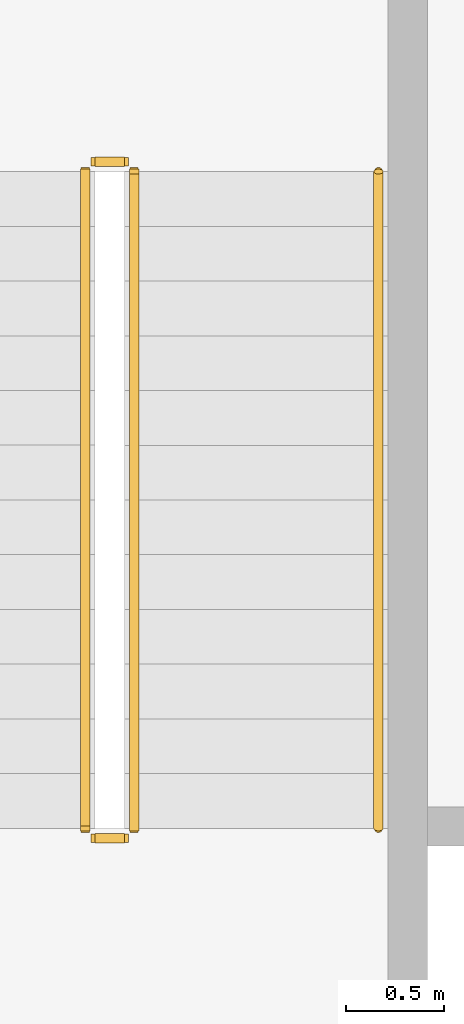
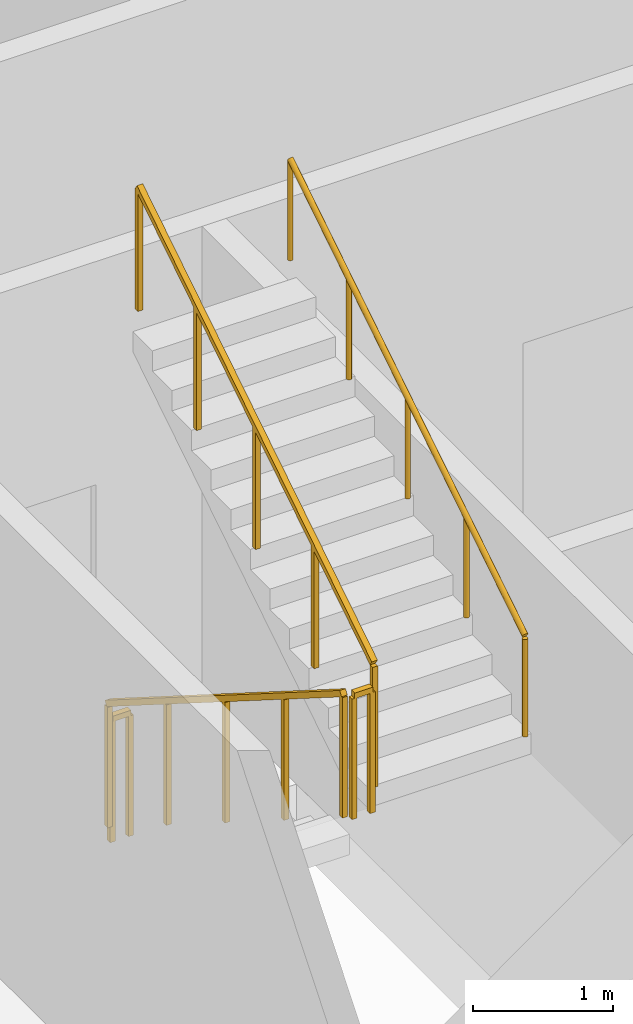
# One storey, part 16 of 21: 5 railings.
"""IFC4 building model written with IfcOpenShell, lengths in metres."""

from ifc_helpers import new_model, si_unit, direction, frame, origin, origin_2d, place, context, subcontext, project, spatial, rectangle, circle, extrude, material, type_object, element, save


model = new_model("IFC4")

# Units and contexts
model_context = context("Model", 3, precision=1e-05, world=origin(), true_north=direction((0.0, 1.0)))
body_context = subcontext(model_context, "Body", "Model", "MODEL_VIEW")
ifc_project = project(units=[si_unit("LENGTHUNIT", "METRE"), si_unit("AREAUNIT", "SQUARE_METRE"), si_unit("VOLUMEUNIT", "CUBIC_METRE"), si_unit("PLANEANGLEUNIT", "RADIAN"), si_unit("MASSUNIT", "GRAM", prefix="KILO")], contexts=[model_context])

# Site, building, storey
site_placement = place(None, origin())
site = spatial("IfcSite", under=ifc_project, at=site_placement, CompositionType="ELEMENT")
building_placement = place(site_placement, origin())
building = spatial("IfcBuilding", under=site, at=building_placement, Name="Mangrove Gate Tower", CompositionType="ELEMENT")
storey_placement = place(building_placement, frame((0.0, 0.0, 329.699951171875)))
storey = spatial("IfcBuildingStorey", under=building, at=storey_placement, Name="L84", CompositionType="ELEMENT", Elevation=329.699951171875)

# Railings
ifc_material_1 = material(Name="Stainless steel 316", Category="steel")
railing_type_1 = type_object("IfcRailingType", Name="Core stair guard 1100", PredefinedType="GUARDRAIL", material=ifc_material_1)
railing_1_placement = place(storey_placement, frame((-9.39990234375, -4.64990234375, 0.177001953125)))
element("IfcRailing", 1, at=railing_1_placement, inside=storey, type_object=railing_type_1, Name="L84 ST1 stair guard 1", PredefinedType="GUARDRAIL", context=body_context, shape_type="SweptSolid", body=[
    extrude(rectangle(XDim=0.048095703125, YDim=0.048095703125, at=origin_2d()), frame((0.0, 0.0, 1.076171875), z_axis=(0.0, -0.845389635667, 0.534150132366), x_axis=(1.0, 0.0, 0.0)), (0.0, 0.0, 1.0), 3.974609375),
    extrude(rectangle(XDim=0.0419921875, YDim=0.0419921875, at=origin_2d()), origin(), (0.0, 0.0, 1.0), 1.052001953125),
    extrude(rectangle(XDim=0.0419921875, YDim=0.0419921875, at=origin_2d()), frame((0.0, -0.840087890625, 0.53076171875)), (0.0, 0.0, 1.0), 1.052001953125),
    extrude(rectangle(XDim=0.0419921875, YDim=0.0419921875, at=origin_2d()), frame((0.0, -1.68017578125, 1.0615234375)), (0.0, 0.0, 1.0), 1.052001953125),
    extrude(rectangle(XDim=0.0419921875, YDim=0.0419921875, at=origin_2d()), frame((0.0, -2.52001953125, 1.59228515625)), (0.0, 0.0, 1.0), 1.052001953125),
    extrude(rectangle(XDim=0.0419921875, YDim=0.0419921875, at=origin_2d()), frame((0.0, -3.360107421875, 2.123046875)), (0.0, 0.0, 1.0), 1.052001953125),
])
railing_2_placement = place(storey_placement, frame((-9.35009765625, -8.06005859375, 2.300048828125)))
element("IfcRailing", 2, at=railing_2_placement, inside=storey, type_object=railing_type_1, Name="L84 ST1 stair guard 2", PredefinedType="GUARDRAIL", context=body_context, shape_type="SweptSolid", body=[
    extrude(rectangle(XDim=0.048095703125, YDim=0.048095703125, at=origin_2d()), frame((0.0, 0.0, 1.076171875), z_axis=(1.0, 0.0, 0.0), x_axis=(0.0, 1.0, 0.0)), (0.0, 0.0, 1.0), 0.150146484375),
    extrude(rectangle(XDim=0.0419921875, YDim=0.0419921875, at=origin_2d()), origin(), (0.0, 0.0, 1.0), 1.052001953125),
    extrude(rectangle(XDim=0.0419921875, YDim=0.0419921875, at=origin_2d()), frame((0.150146484375, 0.0, 0.0)), (0.0, 0.0, 1.0), 1.052001953125),
])
railing_3_placement = place(storey_placement, frame((-9.14990234375, -8.010009765625, 2.47705078125)))
element("IfcRailing", 3, at=railing_3_placement, inside=storey, type_object=railing_type_1, Name="L84 ST1 stair guard 3", PredefinedType="GUARDRAIL", context=body_context, shape_type="SweptSolid", body=[
    extrude(rectangle(XDim=0.048095703125, YDim=0.048095703125, at=origin_2d()), frame((0.0, 0.0, 1.076171875), z_axis=(0.0, 0.845389635667, 0.534150132366), x_axis=(-1.0, 0.0, 0.0)), (0.0, 0.0, 1.0), 3.974609375),
    extrude(rectangle(XDim=0.0419921875, YDim=0.0419921875, at=origin_2d()), origin(), (0.0, 0.0, 1.0), 1.052001953125),
    extrude(rectangle(XDim=0.0419921875, YDim=0.0419921875, at=origin_2d()), frame((0.0, 0.840087890625, 0.53076171875)), (0.0, 0.0, 1.0), 1.052001953125),
    extrude(rectangle(XDim=0.0419921875, YDim=0.0419921875, at=origin_2d()), frame((0.0, 1.68017578125, 1.0615234375)), (0.0, 0.0, 1.0), 1.052001953125),
    extrude(rectangle(XDim=0.0419921875, YDim=0.0419921875, at=origin_2d()), frame((0.0, 2.52001953125, 1.59228515625)), (0.0, 0.0, 1.0), 1.052001953125),
    extrude(rectangle(XDim=0.0419921875, YDim=0.0419921875, at=origin_2d()), frame((0.0, 3.360107421875, 2.123046875)), (0.0, 0.0, 1.0), 1.052001953125),
])
railing_4_placement = place(storey_placement, frame((-9.35009765625, -4.60009765625, 0.0)))
element("IfcRailing", 4, at=railing_4_placement, inside=storey, type_object=railing_type_1, Name="L84 ST1 stair guard 4", PredefinedType="GUARDRAIL", context=body_context, shape_type="SweptSolid", body=[
    extrude(rectangle(XDim=0.048095703125, YDim=0.048095703125, at=origin_2d()), frame((0.0, 0.0, 1.076171875), z_axis=(1.0, 0.0, 0.0), x_axis=(0.0, 1.0, 0.0)), (0.0, 0.0, 1.0), 0.150146484375),
    extrude(rectangle(XDim=0.0419921875, YDim=0.0419921875, at=origin_2d()), origin(), (0.0, 0.0, 1.0), 1.052001953125),
    extrude(rectangle(XDim=0.0419921875, YDim=0.0419921875, at=origin_2d()), frame((0.150146484375, 0.0, 0.0)), (0.0, 0.0, 1.0), 1.052001953125),
])
ifc_material_2 = material(Name="Stainless steel 316", Category="steel")
railing_type_2 = type_object("IfcRailingType", Name="Core stair handrail 900", PredefinedType="HANDRAIL", material=ifc_material_2)
railing_5_placement = place(storey_placement, frame((-7.89990234375, -8.010009765625, 2.47705078125)))
element("IfcRailing", 5, at=railing_5_placement, inside=storey, type_object=railing_type_2, Name="L84 ST1 stair handrail 2", PredefinedType="HANDRAIL", context=body_context, shape_type="SweptSolid", body=[
    extrude(circle(Radius=0.02392578125, at=origin_2d()), frame((0.0, 0.0, 0.8759765625), z_axis=(0.0, 0.845389635667, 0.534150132366), x_axis=(-1.0, 0.0, 0.0)), (0.0, 0.0, 1.0), 3.974609375),
    extrude(circle(Radius=0.02099609375, at=origin_2d()), origin(), (0.0, 0.0, 1.0), 0.851806640625),
    extrude(circle(Radius=0.02099609375, at=origin_2d()), frame((0.0, 0.840087890625, 0.53076171875)), (0.0, 0.0, 1.0), 0.851806640625),
    extrude(circle(Radius=0.02099609375, at=origin_2d()), frame((0.0, 1.68017578125, 1.0615234375)), (0.0, 0.0, 1.0), 0.851806640625),
    extrude(circle(Radius=0.02099609375, at=origin_2d()), frame((0.0, 2.52001953125, 1.59228515625)), (0.0, 0.0, 1.0), 0.851806640625),
    extrude(circle(Radius=0.02099609375, at=origin_2d()), frame((0.0, 3.360107421875, 2.123046875)), (0.0, 0.0, 1.0), 0.851806640625),
])

save(model, "model.ifc")
